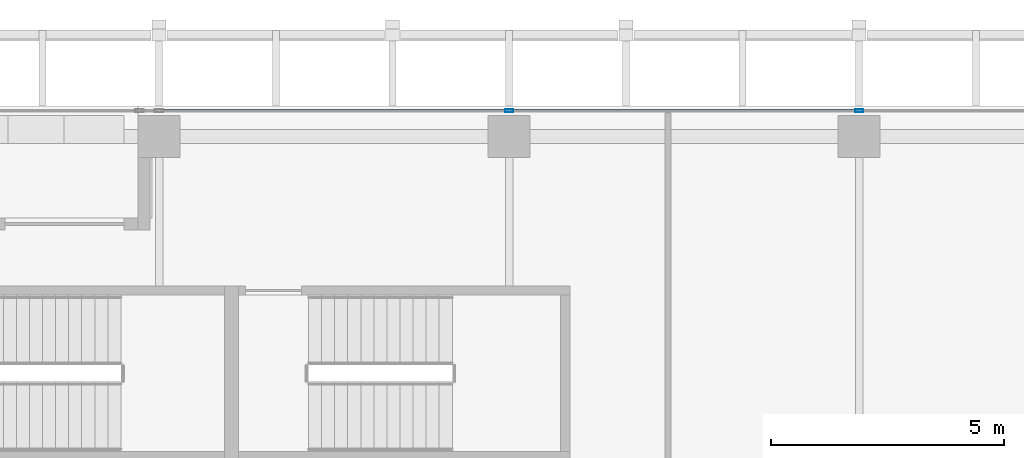
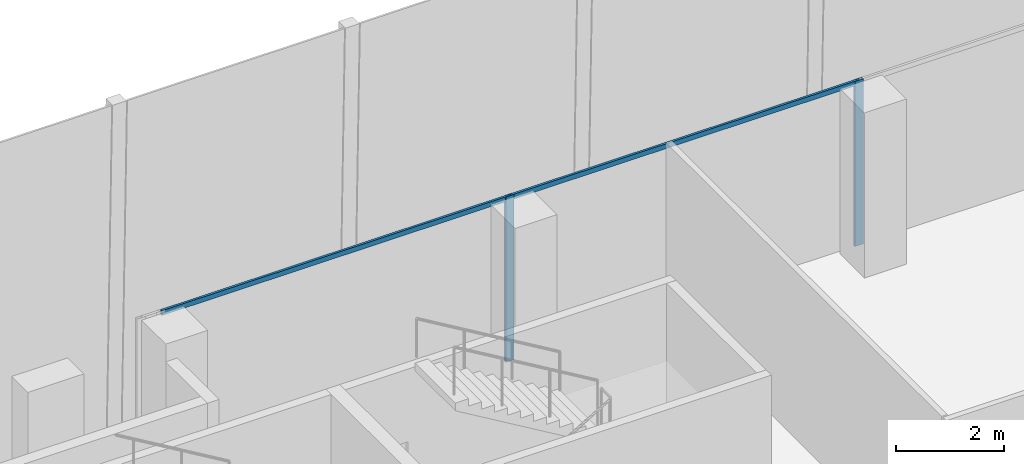
# One storey, part 17 of 35: 4 members, 1 element without a shape of its own.
"""IFC4 building model written with IfcOpenShell, lengths in metres."""

from ifc_helpers import new_model, si_unit, direction, frame, origin, origin_2d, place, context, subcontext, project, spatial, hollow_rectangle, extrude, source, transform, mapped, material, material_profile, profile_set, type_object, element, aggregate, save


model = new_model("IFC4")

# Units and contexts
model_context = context("Model", 3, precision=1e-05, world=origin(), true_north=direction((0.0, 1.0)))
body_context = subcontext(model_context, "Body", "Model", "MODEL_VIEW")
ifc_project = project(units=[si_unit("LENGTHUNIT", "METRE"), si_unit("AREAUNIT", "SQUARE_METRE"), si_unit("VOLUMEUNIT", "CUBIC_METRE"), si_unit("PLANEANGLEUNIT", "RADIAN"), si_unit("MASSUNIT", "GRAM", prefix="KILO")], contexts=[model_context])

# Site, building, storey
site_placement = place(None, origin())
site = spatial("IfcSite", under=ifc_project, at=site_placement, CompositionType="ELEMENT")
building_placement = place(site_placement, origin())
building = spatial("IfcBuilding", under=site, at=building_placement, Name="Khomas Fold Tower", CompositionType="ELEMENT")
storey_placement = place(building_placement, frame((0.0, 0.0, 258.199951171875)))
storey = spatial("IfcBuildingStorey", under=building, at=storey_placement, Name="L58", CompositionType="ELEMENT", Elevation=258.199951171875)

# Curtain wall, members
ifc_material_1 = material(Name="Aluminium framed double glazing", Category="aluminium")
curtain_wall_type = type_object("IfcCurtainWallType", Name="SK-Unitised clear-glass wall, office floors CW2", PredefinedType="NOTDEFINED", material=ifc_material_1)
curtain_wall_placement = place(storey_placement, origin())
curtain_wall = element("IfcCurtainWall", 1, at=curtain_wall_placement, inside=storey, type_object=curtain_wall_type, Name="CW2 run L58 06-0", PredefinedType="NOTDEFINED")
ifc_material_2 = material(Name="Aluminium", Category="aluminium")
ifc_material_profile_1 = material_profile(ifc_material_2, hollow_rectangle(XDim=0.06005859375, YDim=0.179931640625, WallThickness=0.00390625, at=origin_2d()), Name="SK-Unitised clear-glass wall, office floors mullion CW2-M")
ifc_profile_set_1 = profile_set([ifc_material_profile_1], Name="Aluminium")
member_type_1 = type_object("IfcMemberType", Name="SK-Unitised clear-glass wall, office floors mullion CW2-M", PredefinedType="MULLION", material=ifc_profile_set_1)
shared_shape_1 = source(origin(), body_context, "Body", "SweptSolid", [
    extrude(hollow_rectangle(XDim=0.06005859375, YDim=0.179931640625, WallThickness=0.00390625, at=origin_2d()), origin(), (0.0, 0.0, 1.0), 3.75),
])
member_1_placement = place(storey_placement, frame((34.5, 49.39990234375, 0.0), z_axis=(0.0, 0.0, 1.0), x_axis=(0.0, -1.0, 0.0)))
member_1 = element("IfcMember", 2, at=member_1_placement, type_object=member_type_1, Name="CW2 mullion 3", PredefinedType="MULLION", context=body_context, shape_type="MappedRepresentation", body=[
    mapped(shared_shape_1, transform((0.0, 0.0, 0.0))),
])
member_2_placement = place(storey_placement, frame((27.0, 49.39990234375, 0.0), z_axis=(0.0, 0.0, 1.0), x_axis=(0.0, -1.0, 0.0)))
member_2 = element("IfcMember", 3, at=member_2_placement, type_object=member_type_1, Name="CW2 mullion 4", PredefinedType="MULLION", context=body_context, shape_type="MappedRepresentation", body=[
    mapped(shared_shape_1, transform((0.0, 0.0, 0.0))),
])
ifc_material_3 = material(Name="Aluminium", Category="aluminium")
ifc_material_profile_2 = material_profile(ifc_material_3, hollow_rectangle(XDim=0.050048828125, YDim=0.110107421875, WallThickness=0.00390625, at=origin_2d()), Name="SK-Unitised clear-glass wall, office floors transom CW2-T")
ifc_profile_set_2 = profile_set([ifc_material_profile_2], Name="Aluminium")
member_type_2 = type_object("IfcMemberType", Name="SK-Unitised clear-glass wall, office floors transom CW2-T", PredefinedType="USERDEFINED", material=ifc_profile_set_2)
shared_shape_2 = source(origin(), body_context, "Body", "SweptSolid", [
    extrude(hollow_rectangle(XDim=0.050048828125, YDim=0.110107421875, WallThickness=0.00390625, at=origin_2d()), origin(), (0.0, 0.0, 1.0), 7.43994140625),
])
member_3_placement = place(storey_placement, frame((34.469970703125, 49.39990234375, 3.695068359375), z_axis=(-1.0, 0.0, 0.0), x_axis=(0.0, -1.0, 0.0)))
member_3 = element("IfcMember", 4, at=member_3_placement, type_object=member_type_2, Name="CW2 transom 3", ObjectType="TRANSOM", PredefinedType="USERDEFINED", context=body_context, shape_type="MappedRepresentation", body=[
    mapped(shared_shape_2, transform((0.0, 0.0, 0.0))),
])
member_4_placement = place(storey_placement, frame((26.969970703125, 49.39990234375, 3.695068359375), z_axis=(-1.0, 0.0, 0.0), x_axis=(0.0, -1.0, 0.0)))
member_4 = element("IfcMember", 5, at=member_4_placement, type_object=member_type_2, Name="CW2 transom 4", ObjectType="TRANSOM", PredefinedType="USERDEFINED", context=body_context, shape_type="MappedRepresentation", body=[
    mapped(shared_shape_2, transform((0.0, 0.0, 0.0))),
])
aggregate(curtain_wall, [member_1, member_2, member_3, member_4])

save(model, "model.ifc")
